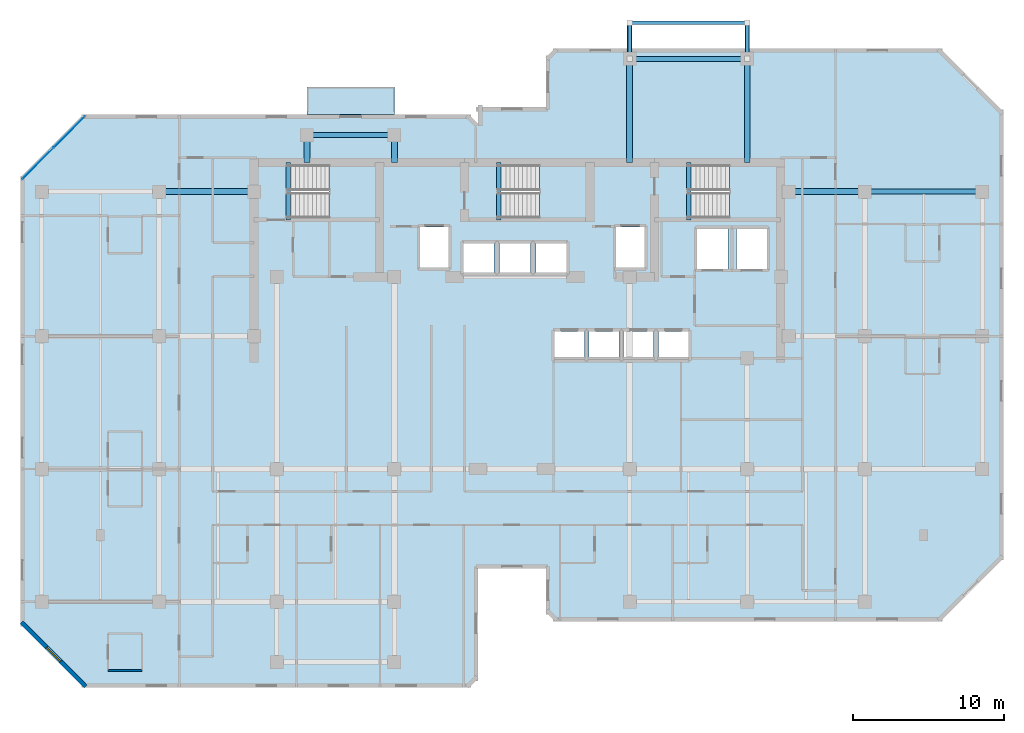
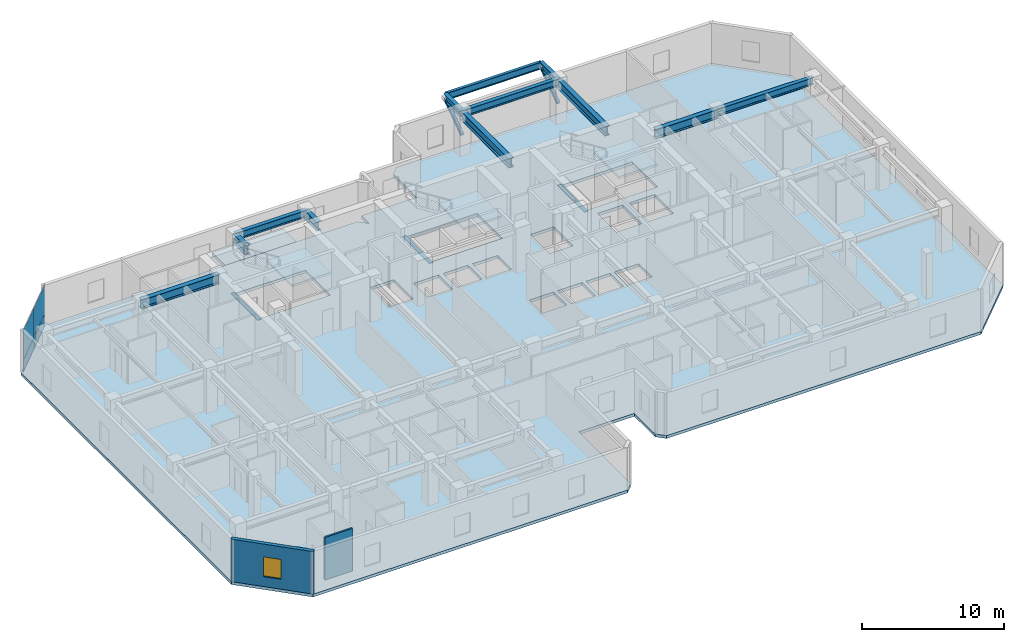
# One storey, part 3 of 10: 15 beams, 5 slabs, 4 plates, 2 members, 2 walls, 1 window, 1 opening, 4 elements without a shape of their own.
"""IFC4 building model written with IfcOpenShell, lengths in metres."""

from ifc_helpers import new_model, si_unit, direction, frame, frame_2d, origin, origin_2d, place, context, subcontext, project, spatial, polyline, rectangle, hollow_rectangle, i_section, outline, extrude, material, layer, layer_set, material_profile, profile_set, type_object, element, fill, aggregate, save


model = new_model("IFC4")

# Units and contexts
model_context = context("Model", 3, precision=1e-05, world=origin(), true_north=direction((0.0, 1.0)))
body_context = subcontext(model_context, "Body", "Model", "MODEL_VIEW")
ifc_project = project(units=[si_unit("LENGTHUNIT", "METRE"), si_unit("AREAUNIT", "SQUARE_METRE"), si_unit("VOLUMEUNIT", "CUBIC_METRE"), si_unit("PLANEANGLEUNIT", "RADIAN"), si_unit("MASSUNIT", "GRAM", prefix="KILO")], contexts=[model_context])

# Site, building, storey
site_placement = place(None, origin())
site = spatial("IfcSite", under=ifc_project, at=site_placement, CompositionType="ELEMENT")
building_placement = place(site_placement, origin())
building = spatial("IfcBuilding", under=site, at=building_placement, Name="Kestravale Grand Hotel", CompositionType="ELEMENT")
storey_placement = place(building_placement, frame((0.0, 0.0, 216.300048828125)))
storey = spatial("IfcBuildingStorey", under=building, at=storey_placement, Name="L54", CompositionType="ELEMENT", Elevation=216.300048828125)

# Beams
ifc_material_1 = material(Name="Concrete f'c 45 MPa", Category="concrete")
ifc_material_profile_1 = material_profile(ifc_material_1, rectangle(XDim=0.300048828125, YDim=0.39990234375, at=origin_2d()))
ifc_profile_set_1 = profile_set([ifc_material_profile_1], Name="Concrete f'c 45 MPa")
beam_type_1 = type_object("IfcBeamType", Name="B-FLR-LNT400", PredefinedType="LINTEL", material=ifc_profile_set_1)
for number, where, z_axis, x_axis, name in (
    (1, (24.159912109375, 36.52001953125, -0.199951171875), (0.0, 1.0, 0.0), (-1.0, 0.0, 0.0), "L54 ST1 flight bottom header beam"),
    (2, (38.110107421875, 36.52001953125, -0.199951171875), (0.0, 1.0, 0.0), (-1.0, 0.0, 0.0), "L54 ST2 flight bottom header beam"),
    (3, (50.7099609375, 36.52001953125, -0.199951171875), (0.0, 1.0, 0.0), (-1.0, 0.0, 0.0), "L54 ST3 flight bottom header beam"),
):
    element("IfcBeam", number, at=place(storey_placement, frame(where, z_axis=z_axis, x_axis=x_axis)), inside=storey, type_object=beam_type_1, Name=name, PredefinedType="LINTEL", context=body_context, shape_type="SweptSolid", body=[
        extrude(rectangle(XDim=0.300048828125, YDim=0.39990234375, at=origin_2d()), origin(), (0.0, 0.0, 1.0), 3.800048828125),
    ])
ifc_material_2 = material(Name="Steel ASTM A992 Grade 50", Category="steel")
ifc_material_profile_2 = material_profile(ifc_material_2, i_section(OverallWidth=0.324951171875, OverallDepth=0.612060546875, WebThickness=0.0126953125, FlangeThickness=0.01904296875, FilletRadius=0.018798828125, at=origin_2d()))
ifc_profile_set_2 = profile_set([ifc_material_profile_2], Name="Steel ASTM A992 Grade 50")
beam_type_2 = type_object("IfcBeamType", Name="B-FLR-W24A", PredefinedType="SPANDREL", material=ifc_profile_set_2)
for number, where, z_axis, x_axis, name in (
    (4, (62.39990234375, 38.39990234375, 3.343994140625), (1.0, 0.0, 0.0), (0.0, 1.0, 0.0), "L54 spandrel F:10-11"),
    (5, (46.800048828125, 47.199951171875, 3.343994140625), (1.0, 0.0, 0.0), (0.0, 1.0, 0.0), "L54 spandrel G:8-9"),
):
    element("IfcBeam", number, at=place(storey_placement, frame(where, z_axis=z_axis, x_axis=x_axis)), inside=storey, type_object=beam_type_2, Name=name, PredefinedType="SPANDREL", context=body_context, shape_type="SweptSolid", body=[
        extrude(i_section(OverallWidth=0.324951171875, OverallDepth=0.612060546875, WebThickness=0.0126953125, FlangeThickness=0.01904296875, FilletRadius=0.018798828125, at=origin_2d()), origin(), (0.0, 0.0, 1.0), 7.800048828125),
    ])
beam_1_placement = place(storey_placement, frame((25.39990234375, 42.14990234375, 3.343994140625), z_axis=(1.0, 0.0, 0.0), x_axis=(0.0, 1.0, 0.0)))
element("IfcBeam", 6, at=beam_1_placement, inside=storey, type_object=beam_type_2, Name="L54 perimeter tie spandrel FN:4-5", PredefinedType="SPANDREL", context=body_context, shape_type="SweptSolid", body=[
    extrude(i_section(OverallWidth=0.324951171875, OverallDepth=0.612060546875, WebThickness=0.0126953125, FlangeThickness=0.01904296875, FilletRadius=0.018798828125, at=origin_2d()), origin(), (0.0, 0.0, 1.0), 5.800048828125),
])
for number, where, z_axis, x_axis, name in (
    (7, (46.800048828125, 47.199951171875, 3.323974609375), (0.0, 1.0, 0.0), (-1.0, 0.0, 0.0), "L55 terrace cantilever beam 1"),
    (8, (54.60009765625, 47.199951171875, 3.323974609375), (0.0, 1.0, 0.0), (-1.0, 0.0, 0.0), "L55 terrace cantilever beam 2"),
):
    element("IfcBeam", number, at=place(storey_placement, frame(where, z_axis=z_axis, x_axis=x_axis)), inside=storey, type_object=beam_type_2, Name=name, PredefinedType="SPANDREL", context=body_context, shape_type="SweptSolid", body=[
        extrude(i_section(OverallWidth=0.324951171875, OverallDepth=0.612060546875, WebThickness=0.0126953125, FlangeThickness=0.01904296875, FilletRadius=0.018798828125, at=origin_2d()), origin(), (0.0, 0.0, 1.0), 2.400146484375),
    ])
ifc_material_3 = material(Name="Steel ASTM A992 Grade 50", Category="steel")
ifc_material_profile_3 = material_profile(ifc_material_3, i_section(OverallWidth=0.22900390625, OverallDepth=0.612060546875, WebThickness=0.011962890625, FlangeThickness=0.01953125, FilletRadius=0.019287109375, at=origin_2d()))
ifc_profile_set_3 = profile_set([ifc_material_profile_3], Name="Steel ASTM A992 Grade 50")
beam_type_3 = type_object("IfcBeamType", Name="B-FLR-W24B", PredefinedType="SPANDREL", material=ifc_profile_set_3)
beam_2_placement = place(storey_placement, frame((46.800048828125, 49.60009765625, 3.323974609375), z_axis=(1.0, 0.0, 0.0), x_axis=(0.0, 1.0, 0.0)))
element("IfcBeam", 9, at=beam_2_placement, inside=storey, type_object=beam_type_3, Name="L55 terrace edge spandrel", PredefinedType="SPANDREL", context=body_context, shape_type="SweptSolid", body=[
    extrude(i_section(OverallWidth=0.22900390625, OverallDepth=0.612060546875, WebThickness=0.011962890625, FlangeThickness=0.01953125, FilletRadius=0.019287109375, at=origin_2d()), origin(), (0.0, 0.0, 1.0), 7.800048828125),
])
ifc_material_4 = material(Name="Steel ASTM A992 Grade 50", Category="steel")
ifc_material_profile_4 = material_profile(ifc_material_4, i_section(OverallWidth=0.381103515625, OverallDepth=0.77197265625, WebThickness=0.0166015625, FlangeThickness=0.027099609375, FilletRadius=0.023681640625, at=origin_2d()))
ifc_profile_set_4 = profile_set([ifc_material_profile_4], Name="Steel ASTM A992 Grade 50")
beam_type_4 = type_object("IfcBeamType", Name="B-GRD-W30", PredefinedType="BEAM", material=ifc_profile_set_4)
beam_3_placement = place(storey_placement, frame((15.60009765625, 38.39990234375, 3.263916015625), z_axis=(1.0, 0.0, 0.0), x_axis=(0.0, 1.0, 0.0)))
element("IfcBeam", 10, at=beam_3_placement, inside=storey, type_object=beam_type_4, Name="L54 girder F:3-CW", PredefinedType="BEAM", context=body_context, shape_type="SweptSolid", body=[
    extrude(i_section(OverallWidth=0.381103515625, OverallDepth=0.77197265625, WebThickness=0.0166015625, FlangeThickness=0.027099609375, FilletRadius=0.023681640625, at=origin_2d()), origin(), (0.0, 0.0, 1.0), 6.2998046875),
])
beam_4_placement = place(storey_placement, frame((57.35009765625, 38.39990234375, 3.263916015625), z_axis=(1.0, 0.0, 0.0), x_axis=(0.0, 1.0, 0.0)))
element("IfcBeam", 11, at=beam_4_placement, inside=storey, type_object=beam_type_4, Name="L54 girder F:CE-10", PredefinedType="BEAM", context=body_context, shape_type="SweptSolid", body=[
    extrude(i_section(OverallWidth=0.381103515625, OverallDepth=0.77197265625, WebThickness=0.0166015625, FlangeThickness=0.027099609375, FilletRadius=0.023681640625, at=origin_2d()), origin(), (0.0, 0.0, 1.0), 5.0498046875),
])
for number, where, z_axis, x_axis, name in (
    (12, (25.39990234375, 40.320068359375, 3.263916015625), (0.0, 1.0, 0.0), (-1.0, 0.0, 0.0), "L54 north wing tie girder 4:CN-FN"),
    (13, (31.199951171875, 40.320068359375, 3.263916015625), (0.0, 1.0, 0.0), (-1.0, 0.0, 0.0), "L54 north wing tie girder 5:CN-FN"),
):
    element("IfcBeam", number, at=place(storey_placement, frame(where, z_axis=z_axis, x_axis=x_axis)), inside=storey, type_object=beam_type_4, Name=name, PredefinedType="BEAM", context=body_context, shape_type="SweptSolid", body=[
        extrude(i_section(OverallWidth=0.381103515625, OverallDepth=0.77197265625, WebThickness=0.0166015625, FlangeThickness=0.027099609375, FilletRadius=0.023681640625, at=origin_2d()), origin(), (0.0, 0.0, 1.0), 1.829833984375),
    ])
for number, where, z_axis, x_axis, name in (
    (14, (46.800048828125, 40.320068359375, 3.263916015625), (0.0, 1.0, 0.0), (-1.0, 0.0, 0.0), "L54 north wing tie girder 8:CN-G"),
    (15, (54.60009765625, 40.320068359375, 3.263916015625), (0.0, 1.0, 0.0), (-1.0, 0.0, 0.0), "L54 north wing tie girder 9:CN-G"),
):
    element("IfcBeam", number, at=place(storey_placement, frame(where, z_axis=z_axis, x_axis=x_axis)), inside=storey, type_object=beam_type_4, Name=name, PredefinedType="BEAM", context=body_context, shape_type="SweptSolid", body=[
        extrude(i_section(OverallWidth=0.381103515625, OverallDepth=0.77197265625, WebThickness=0.0166015625, FlangeThickness=0.027099609375, FilletRadius=0.023681640625, at=origin_2d()), origin(), (0.0, 0.0, 1.0), 6.8798828125),
    ])

# Members
ifc_material_5 = material(Name="Steel ASTM A500 Grade C", Category="steel")
ifc_material_profile_5 = material_profile(ifc_material_5, hollow_rectangle(XDim=0.25, YDim=0.25, WallThickness=0.011962890625, InnerFilletRadius=0.011962890625, OuterFilletRadius=0.02392578125, at=origin_2d()))
ifc_profile_set_5 = profile_set([ifc_material_profile_5], Name="Steel ASTM A500 Grade C")
member_type = type_object("IfcMemberType", Name="M-BLT-STR250", PredefinedType="STRUT", material=ifc_profile_set_5)
for number, where, z_axis, x_axis, name in (
    (16, (46.800048828125, 47.199951171875, 1.473876953125), (0.0, 0.816009799251, 0.57803806754), (-1.0, 0.0, 0.0), "L55 terrace knee-brace strut 1"),
    (17, (54.60009765625, 47.199951171875, 1.473876953125), (0.0, 0.816009799251, 0.57803806754), (-1.0, 0.0, 0.0), "L55 terrace knee-brace strut 2"),
):
    element("IfcMember", number, at=place(storey_placement, frame(where, z_axis=z_axis, x_axis=x_axis)), inside=storey, type_object=member_type, Name=name, PredefinedType="STRUT", context=body_context, shape_type="SweptSolid", body=[
        extrude(hollow_rectangle(XDim=0.25, YDim=0.25, WallThickness=0.011962890625, InnerFilletRadius=0.011962890625, OuterFilletRadius=0.02392578125, at=origin_2d()), origin(), (0.0, 0.0, 1.0), 2.94140625),
    ])

# Curtain wall, plates
ifc_material_6 = material(Name="Thermally broken champagne-bronze aluminium and low-E glazing", Category="aluminium")
ifc_layer_1 = layer(ifc_material_6, 0.179931640625)
ifc_layer_set_1 = layer_set([ifc_layer_1], Name="CW-Z3")
curtain_wall_type = type_object("IfcCurtainWallType", Name="CW-Z3", PredefinedType="NOTDEFINED", material=ifc_layer_set_1)
curtain_wall_placement = place(storey_placement, origin())
curtain_wall = element("IfcCurtainWall", 18, at=curtain_wall_placement, inside=storey, type_object=curtain_wall_type, Name="L54 unitised curtain wall 18", PredefinedType="NOTDEFINED")
ifc_material_7 = material(Name="Insulated clear low-E double glazing IGU", Category="glass")
ifc_layer_2 = layer(ifc_material_7, 0.031982421875)
ifc_layer_set_2 = layer_set([ifc_layer_2], Name="CW-PNL-32")
plate_type = type_object("IfcPlateType", Name="CW-PNL-32", PredefinedType="CURTAIN_PANEL", material=ifc_layer_set_2)
plate_1_placement = place(storey_placement, frame((9.64453125, 42.3466796875, 0.06494140625), z_axis=(0.0, 0.0, 1.0), x_axis=(-0.707106781187, -0.707106781187, 0.0)))
plate_1 = element("IfcPlate", 19, at=plate_1_placement, type_object=plate_type, Name="CW-Z3 panel 1.1", PredefinedType="CURTAIN_PANEL", context=body_context, shape_type="SweptSolid", body=[
    extrude(rectangle(XDim=2.892333984375, YDim=0.031982421875, at=origin_2d()), origin(), (0.0, 0.0, 1.0), 0.952392578125),
])
plate_2_placement = place(storey_placement, frame((9.64453125, 42.3466796875, 1.08251953125), z_axis=(0.0, 0.0, 1.0), x_axis=(-0.707106781187, -0.707106781187, 0.0)))
plate_2 = element("IfcPlate", 20, at=plate_2_placement, type_object=plate_type, Name="CW-Z3 panel 1.2", PredefinedType="CURTAIN_PANEL", context=body_context, shape_type="SweptSolid", body=[
    extrude(rectangle(XDim=2.892333984375, YDim=0.031982421875, at=origin_2d()), origin(), (0.0, 0.0, 1.0), 2.50244140625),
])
plate_3_placement = place(storey_placement, frame((7.553466796875, 40.25537109375, 0.06494140625), z_axis=(0.0, 0.0, 1.0), x_axis=(-0.707106781187, -0.707106781187, 0.0)))
plate_3 = element("IfcPlate", 21, at=plate_3_placement, type_object=plate_type, Name="CW-Z3 panel 2.1", PredefinedType="CURTAIN_PANEL", context=body_context, shape_type="SweptSolid", body=[
    extrude(rectangle(XDim=2.892333984375, YDim=0.031982421875, at=origin_2d()), origin(), (0.0, 0.0, 1.0), 0.952392578125),
])
plate_4_placement = place(storey_placement, frame((7.553466796875, 40.25537109375, 1.08251953125), z_axis=(0.0, 0.0, 1.0), x_axis=(-0.707106781187, -0.707106781187, 0.0)))
plate_4 = element("IfcPlate", 22, at=plate_4_placement, type_object=plate_type, Name="CW-Z3 panel 2.2", PredefinedType="CURTAIN_PANEL", context=body_context, shape_type="SweptSolid", body=[
    extrude(rectangle(XDim=2.892333984375, YDim=0.031982421875, at=origin_2d()), origin(), (0.0, 0.0, 1.0), 2.50244140625),
])
aggregate(curtain_wall, [plate_1, plate_2, plate_3, plate_4])

# Slab
ifc_material_8 = material(Name="Concrete f'c 45 MPa", Category="concrete")
ifc_layer_3 = layer(ifc_material_8, 0.27001953125)
ifc_layer_set_3 = layer_set([ifc_layer_3], Name="ES-TERR-270")
slab_type_1 = type_object("IfcSlabType", Name="ES-TERR-270", PredefinedType="FLOOR", material=ifc_layer_set_3)
slab_1_placement = place(storey_placement, frame((0.0, 0.0, -0.27001953125)))
element("IfcSlab", 23, at=slab_1_placement, inside=storey, type_object=slab_type_1, Name="L54 spiralling planted garden terrace", PredefinedType="FLOOR", context=body_context, shape_type="SweptSolid", body=[
    extrude(outline(polyline([(25.39990234375, 43.5), (31.199951171875, 43.5), (31.199951171875, 45.35009765625), (25.39990234375, 45.35009765625), (25.39990234375, 43.5)])), origin(), (0.0, 0.0, 1.0), 0.27001953125),
])

# Stair, slab
ifc_material_9 = material(Name="Concrete f'c 45 MPa", Category="concrete")
stair_type = type_object("IfcStairType", Name="ST-CORE-390", PredefinedType="HALF_TURN_STAIR", material=ifc_material_9)
stair_1_placement = place(storey_placement, origin())
stair_1 = element("IfcStair", 24, at=stair_1_placement, inside=storey, type_object=stair_type, Name="L54 ST-1", PredefinedType="HALF_TURN_STAIR")
ifc_material_10 = material(Name="Concrete f'c 45 MPa", Category="concrete")
ifc_layer_4 = layer(ifc_material_10, 0.199951171875)
ifc_layer_set_4 = layer_set([ifc_layer_4], Name="SLB-ST-LND200")
slab_type_2 = type_object("IfcSlabType", Name="SLB-ST-LND200", PredefinedType="LANDING", material=ifc_layer_set_4)
slab_2_placement = place(storey_placement, frame((0.0, 0.0, 1.75)))
slab_2 = element("IfcSlab", 25, at=slab_2_placement, type_object=slab_type_2, Name="ST-1 landing 1", PredefinedType="LANDING", context=body_context, shape_type="SweptSolid", body=[
    extrude(outline(polyline([(26.8798828125, 36.64990234375), (30.0, 36.64990234375), (30.0, 40.159912109375), (26.8798828125, 40.159912109375), (26.8798828125, 36.64990234375)])), origin(), (0.0, 0.0, 1.0), 0.199951171875),
])
aggregate(stair_1, [slab_2])

stair_2_placement = place(storey_placement, origin())
stair_2 = element("IfcStair", 26, at=stair_2_placement, inside=storey, type_object=stair_type, Name="L54 ST-2", PredefinedType="HALF_TURN_STAIR")
slab_3_placement = place(storey_placement, frame((0.0, 0.0, 1.75)))
slab_3 = element("IfcSlab", 27, at=slab_3_placement, type_object=slab_type_2, Name="ST-2 landing 1", PredefinedType="LANDING", context=body_context, shape_type="SweptSolid", body=[
    extrude(outline(polyline([(40.830078125, 36.64990234375), (43.949951171875, 36.64990234375), (43.949951171875, 40.159912109375), (40.830078125, 40.159912109375), (40.830078125, 36.64990234375)])), origin(), (0.0, 0.0, 1.0), 0.199951171875),
])
aggregate(stair_2, [slab_3])

stair_3_placement = place(storey_placement, origin())
stair_3 = element("IfcStair", 28, at=stair_3_placement, inside=storey, type_object=stair_type, Name="L54 ST-3", PredefinedType="HALF_TURN_STAIR")
slab_4_placement = place(storey_placement, frame((0.0, 0.0, 1.75)))
slab_4 = element("IfcSlab", 29, at=slab_4_placement, type_object=slab_type_2, Name="ST-3 landing 1", PredefinedType="LANDING", context=body_context, shape_type="SweptSolid", body=[
    extrude(outline(polyline([(53.429931640625, 36.64990234375), (56.550048828125, 36.64990234375), (56.550048828125, 40.159912109375), (53.429931640625, 40.159912109375), (53.429931640625, 36.64990234375)])), origin(), (0.0, 0.0, 1.0), 0.199951171875),
])
aggregate(stair_3, [slab_4])

# Slab
ifc_material_11 = material(Name="Concrete f'c 45 MPa", Category="concrete")
ifc_layer_5 = layer(ifc_material_11, 0.25)
ifc_layer_set_5 = layer_set([ifc_layer_5], Name="SS-FLR-250")
slab_type_3 = type_object("IfcSlabType", Name="SS-FLR-250", PredefinedType="FLOOR", material=ifc_layer_set_5)
slab_5_placement = place(storey_placement, frame((0.0, 0.0, -0.25)))
element("IfcSlab", 30, at=slab_5_placement, inside=storey, type_object=slab_type_3, Name="L54 structural floor slab", PredefinedType="FLOOR", context=body_context, shape_type="SweptSolid", body=[
    extrude(outline(polyline([(10.60009765625, 5.5), (36.14990234375, 5.5), (36.75, 6.10009765625), (36.75, 13.39990234375), (41.25, 13.39990234375), (41.25, 10.5), (41.85009765625, 9.89990234375), (67.39990234375, 9.89990234375), (71.60009765625, 14.10009765625), (71.60009765625, 43.699951171875), (67.39990234375, 47.89990234375), (41.85009765625, 47.89990234375), (41.25, 47.300048828125), (41.25, 44.0), (36.75, 44.0), (36.75, 42.89990234375), (36.14990234375, 43.5), (10.60009765625, 43.5), (6.39990234375, 39.300048828125), (6.39990234375, 9.699951171875), (10.60009765625, 5.5)]), holes=[polyline([(24.080078125, 36.64990234375), (30.0, 36.64990234375), (30.0, 40.159912109375), (24.080078125, 40.159912109375), (24.080078125, 36.64990234375)]), polyline([(38.030029296875, 36.64990234375), (43.949951171875, 36.64990234375), (43.949951171875, 40.159912109375), (38.030029296875, 40.159912109375), (38.030029296875, 36.64990234375)]), polyline([(50.6298828125, 36.64990234375), (56.550048828125, 36.64990234375), (56.550048828125, 40.159912109375), (50.6298828125, 40.159912109375), (50.6298828125, 36.64990234375)]), polyline([(41.804931640625, 27.280029296875), (43.794921875, 27.280029296875), (43.794921875, 29.1201171875), (41.804931640625, 29.1201171875), (41.804931640625, 27.280029296875)]), polyline([(44.10498046875, 27.280029296875), (46.094970703125, 27.280029296875), (46.094970703125, 29.1201171875), (44.10498046875, 29.1201171875), (44.10498046875, 27.280029296875)]), polyline([(46.405029296875, 27.280029296875), (48.39501953125, 27.280029296875), (48.39501953125, 29.1201171875), (46.405029296875, 29.1201171875), (46.405029296875, 27.280029296875)]), polyline([(48.705078125, 27.280029296875), (50.695068359375, 27.280029296875), (50.695068359375, 29.1201171875), (48.705078125, 29.1201171875), (48.705078125, 27.280029296875)]), polyline([(35.780029296875, 33.030029296875), (37.820068359375, 33.030029296875), (37.820068359375, 34.969970703125), (35.780029296875, 34.969970703125), (35.780029296875, 33.030029296875)]), polyline([(38.179931640625, 33.030029296875), (40.219970703125, 33.030029296875), (40.219970703125, 34.969970703125), (38.179931640625, 34.969970703125), (38.179931640625, 33.030029296875)]), polyline([(40.580078125, 33.030029296875), (42.6201171875, 33.030029296875), (42.6201171875, 34.969970703125), (40.580078125, 34.969970703125), (40.580078125, 33.030029296875)]), polyline([(32.905029296875, 33.35498046875), (34.794921875, 33.35498046875), (34.794921875, 36.044921875), (32.905029296875, 36.044921875), (32.905029296875, 33.35498046875)]), polyline([(45.905029296875, 33.35498046875), (47.794921875, 33.35498046875), (47.794921875, 36.044921875), (45.905029296875, 36.044921875), (45.905029296875, 33.35498046875)]), polyline([(51.280029296875, 33.280029296875), (53.320068359375, 33.280029296875), (53.320068359375, 35.919921875), (51.280029296875, 35.919921875), (51.280029296875, 33.280029296875)]), polyline([(53.8798828125, 33.280029296875), (55.919921875, 33.280029296875), (55.919921875, 35.919921875), (53.8798828125, 35.919921875), (53.8798828125, 33.280029296875)])]), origin(), (0.0, 0.0, 1.0), 0.25),
])

# Wall, opening, window
ifc_material_12 = material(Name="Precast concrete f'c 45 MPa", Category="concrete")
ifc_layer_6 = layer(ifc_material_12, 0.280029296875)
ifc_layer_set_6 = layer_set([ifc_layer_6], Name="EW-PREC-280")
wall_type_1 = type_object("IfcWallType", Name="EW-PREC-280", PredefinedType="SOLIDWALL", material=ifc_layer_set_6)
wall_1_placement = place(storey_placement, frame((6.470703125, 9.827392578125, 0.0), z_axis=(0.0, 0.0, 1.0), x_axis=(0.707106781187, -0.707106781187, 0.0)))
wall_1 = element("IfcWall", 31, at=wall_1_placement, inside=storey, type_object=wall_type_1, Name="L54 fluted precast facade wall 20", PredefinedType="SOLIDWALL", context=body_context, shape_type="SweptSolid", body=[
    extrude(rectangle(XDim=6.019775390625, YDim=0.280029296875, at=frame_2d((3.009765625, 0.0))), origin(), (0.0, 0.0, 1.0), 3.64990234375),
])
opening_placement = place(wall_1_placement, frame((2.35986328125, 0.0, 0.85009765625)))
opening = element("IfcOpeningElement", 32, at=opening_placement, cuts=wall_1, Name="Opening W-GUEST-1300", PredefinedType="OPENING", context=body_context, shape_type="SweptSolid", body=[
    extrude(rectangle(XDim=1.300048828125, YDim=1.699951171875, at=frame_2d((0.64990234375, 0.85009765625))), frame((0.0, 0.14990234375, 0.0), z_axis=(0.0, -1.0, 0.0), x_axis=(1.0, 0.0, 0.0)), (0.0, 0.0, 1.0), 0.300048828125),
])
ifc_material_13 = material(Name="Insulated low-E double glazing in aluminium frame", Category="aluminium")
window_type = type_object("IfcWindowType", Name="W-GUEST-1300", PartitioningType="SINGLE_PANEL", PredefinedType="WINDOW", material=ifc_material_13)
window_placement = place(opening_placement, origin())
window = element("IfcWindow", 33, at=window_placement, inside=storey, type_object=window_type, Name="L54 exterior window 20.1", OverallHeight=1.699951171875, OverallWidth=1.300048828125, PartitioningType="SINGLE_PANEL", PredefinedType="WINDOW", context=body_context, shape_type="SweptSolid", body=[
    extrude(rectangle(XDim=1.300048828125, YDim=1.699951171875, at=frame_2d((0.64990234375, 0.85009765625))), frame((0.0, 0.030029296875, 0.0), z_axis=(0.0, -1.0, 0.0), x_axis=(1.0, 0.0, 0.0)), (0.0, 0.0, 1.0), 0.06005859375),
])
fill(opening, window)

# Wall
ifc_material_14 = material(Name="Moisture-resistant tile-backer plumbing chase wall", Category="other")
ifc_layer_7 = layer(ifc_material_14, 0.139892578125)
ifc_layer_set_7 = layer_set([ifc_layer_7], Name="IW-PLB-140")
wall_type_2 = type_object("IfcWallType", Name="IW-PLB-140", PredefinedType="PLUMBINGWALL", material=ifc_layer_set_7)
wall_2_placement = place(storey_placement, frame((12.199951171875, 6.64990234375, 0.0), z_axis=(0.0, 0.0, 1.0), x_axis=(1.0, 0.0, 0.0)))
element("IfcWall", 34, at=wall_2_placement, inside=storey, type_object=wall_type_2, Name="W-L54-U05-BS", PredefinedType="PLUMBINGWALL", context=body_context, shape_type="SweptSolid", body=[
    extrude(rectangle(XDim=2.25, YDim=0.139892578125, at=frame_2d((1.125, 0.0))), origin(), (0.0, 0.0, 1.0), 3.64990234375),
])

save(model, "model.ifc")
